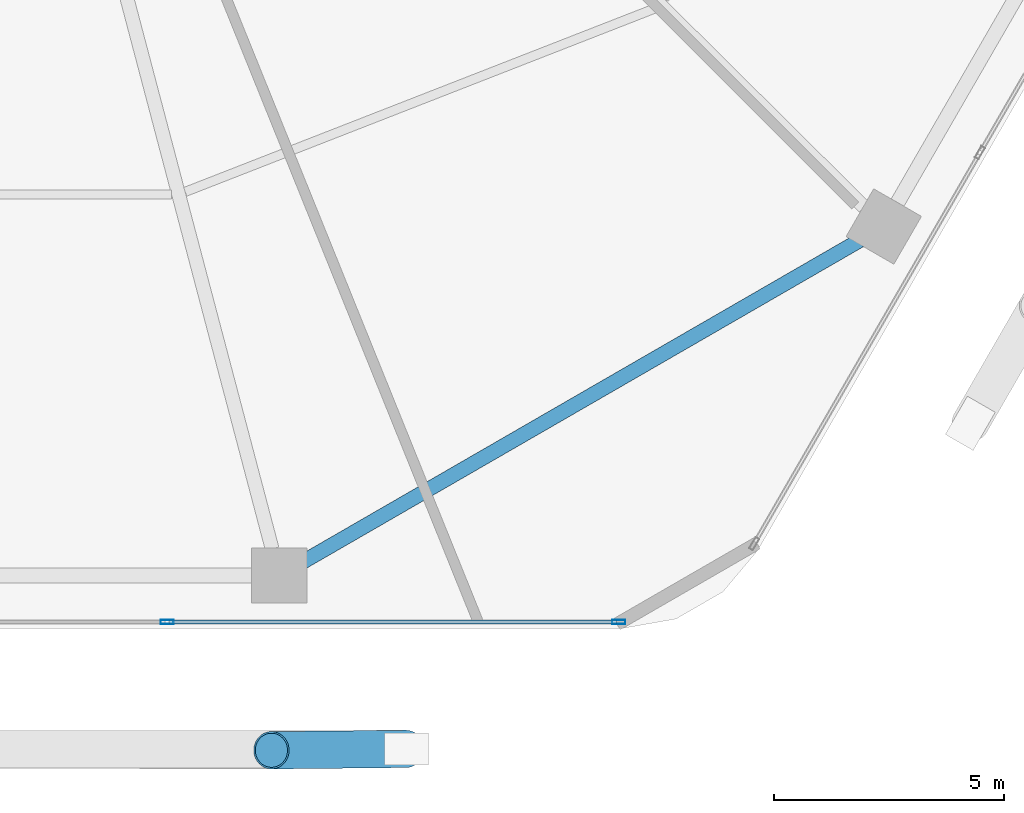
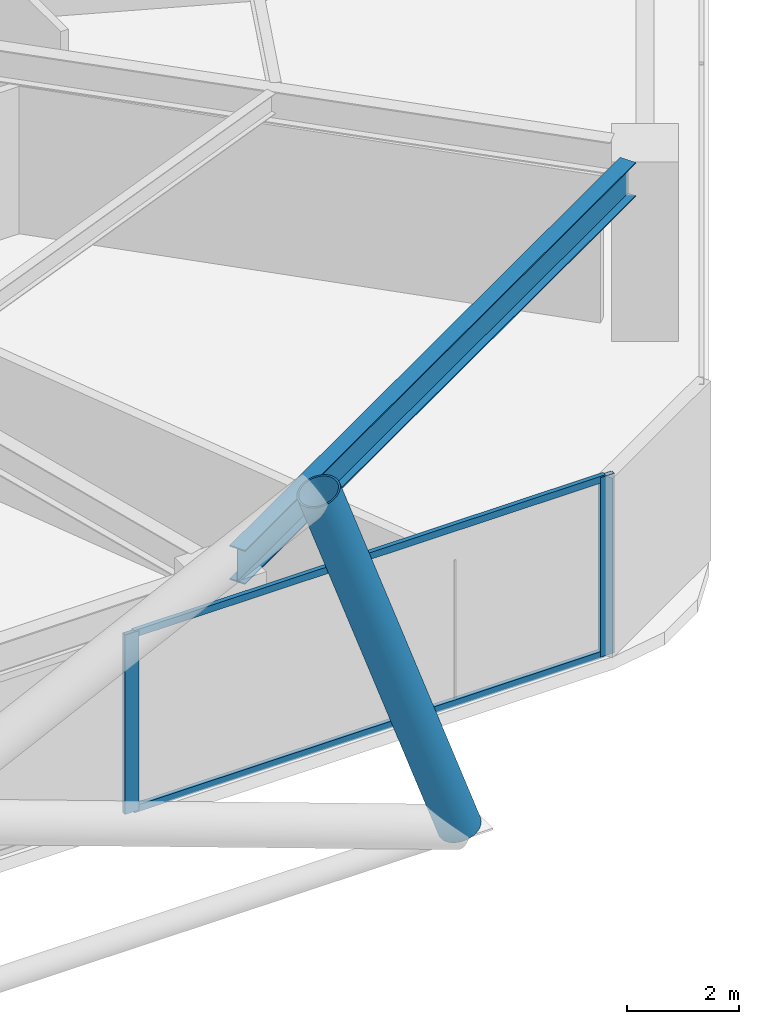
# One storey, part 7 of 28: 5 members, 1 beam, 1 element without a shape of its own.
"""IFC4 building model written with IfcOpenShell, lengths in metres."""

import ifcopenshell
import ifcopenshell.guid

model = None  # the IFC model being written
_history = None  # IfcOwnerHistory: only IFC2X3 demands one
_inside = {}  # id of a spatial element -> (the spatial element, [elements in it])
_under = {}  # id of a project, library or spatial element -> (it, [spatial elements below it])
_declared = {}  # id of a project -> (the project, [libraries it declares])
_typed = {}  # id of a type object -> (the type object, [elements of that type])
_made_of = {}  # id of a material, layer set ... -> (it, [elements and type objects made of it])


def new_model(schema):
    """Start an empty IFC model of exactly this schema.

    Asked for "IFC4X3", IfcOpenShell would pick the latest addendum, in which some entities
    have other attributes; the version numbers below select the first issue.
    IFC2X3 requires an IfcOwnerHistory on every rooted entity: one is made here for all.
    """
    global model, _history
    if schema == "IFC4X3":
        model = ifcopenshell.file(schema_version=(4, 3, 0, 0))
    else:
        model = ifcopenshell.file(schema=schema)
    _inside.clear()
    _under.clear()
    _declared.clear()
    _typed.clear()
    _made_of.clear()
    _history = None
    if model.schema == "IFC2X3":
        org = make("IfcOrganization", Name="unknown")
        user = make(
            "IfcPersonAndOrganization",
            ThePerson=make("IfcPerson", FamilyName="unknown"),
            TheOrganization=org,
        )
        app = make(
            "IfcApplication",
            ApplicationDeveloper=org,
            Version="unknown",
            ApplicationFullName="unknown",
            ApplicationIdentifier="unknown",
        )
        _history = make(
            "IfcOwnerHistory",
            OwningUser=user,
            OwningApplication=app,
            ChangeAction="ADDED",
            CreationDate=0,
        )
    return model


def make(cls, **values):
    """One entity of the class cls with the attributes given. An attribute that is None is left unset."""
    return model.create_entity(
        cls, **{name: value for name, value in values.items() if value is not None}
    )


def rooted(cls, **values):
    """An entity with a GlobalId (a new one), such as an element, a storey or a relation."""
    return make(cls, GlobalId=ifcopenshell.guid.new(), OwnerHistory=_history, **values)


def si_unit(unit_type, name, prefix=None):
    """IfcSIUnit, for example si_unit("LENGTHUNIT", "METRE", prefix="MILLI")."""
    return make("IfcSIUnit", UnitType=unit_type, Prefix=prefix, Name=name)


def assignment(units):
    """IfcUnitAssignment: the units of a project."""
    return None if units is None else make("IfcUnitAssignment", Units=units)


def point(xyz):
    """IfcCartesianPoint."""
    return None if xyz is None else make("IfcCartesianPoint", Coordinates=xyz)


def direction(xyz):
    """IfcDirection."""
    return None if xyz is None else make("IfcDirection", DirectionRatios=xyz)


def frame(location, z_axis=None, x_axis=None):
    """IfcAxis2Placement3D, a coordinate frame: its origin and axes. An axis left out is left unset."""
    return make(
        "IfcAxis2Placement3D",
        Location=point(location),
        Axis=direction(z_axis),
        RefDirection=direction(x_axis),
    )


def frame_2d(location, x_axis=None):
    """IfcAxis2Placement2D, a coordinate frame in the plane: its origin and x axis."""
    return make(
        "IfcAxis2Placement2D", Location=point(location), RefDirection=direction(x_axis)
    )


def origin():
    """The frame at (0, 0, 0) with its axes left unset."""
    return frame((0.0, 0.0, 0.0))


def origin_2d():
    """The frame at (0, 0) in the plane with its x axis left unset."""
    return frame_2d((0.0, 0.0))


def place(relative_to, where):
    """IfcLocalPlacement: puts the frame where relative to a parent placement (None: the world)."""
    return make(
        "IfcLocalPlacement", PlacementRelTo=relative_to, RelativePlacement=where
    )


def context(
    kind, dimensions, precision=None, world=None, true_north=None, identifier=None
):
    """IfcGeometricRepresentationContext, for example the 3D "Model" context."""
    return make(
        "IfcGeometricRepresentationContext",
        ContextIdentifier=identifier,
        ContextType=kind,
        CoordinateSpaceDimension=dimensions,
        Precision=precision,
        WorldCoordinateSystem=world,
        TrueNorth=true_north,
    )


def subcontext(parent, identifier, kind, view, scale=None):
    """IfcGeometricRepresentationSubContext, for example "Body" below "Model"."""
    return make(
        "IfcGeometricRepresentationSubContext",
        ContextIdentifier=identifier,
        ContextType=kind,
        ParentContext=parent,
        TargetScale=scale,
        TargetView=view,
    )


def project(units=None, contexts=None):
    """IfcProject with its units and contexts."""
    return rooted(
        "IfcProject",
        Name="project",
        RepresentationContexts=contexts,
        UnitsInContext=assignment(units),
    )


def spatial(cls, under=None, at=None, **own):
    """A site, building, storey or space (cls), placed at a placement, below another one or the project."""
    s = rooted(cls, ObjectPlacement=at, **own)
    if under is not None:
        _under.setdefault(under.id(), (under, []))[1].append(s)
    return s


def profile(cls, at=None, kind="AREA", **sizes):
    """A parametric profile (cls). Its sizes go by their IFC names, for example OverallWidth=200.0."""
    return make(cls, ProfileType=kind, Position=at, **sizes)


def hollow_rectangle(**sizes):
    """IfcRectangleHollowProfileDef."""
    return profile("IfcRectangleHollowProfileDef", **sizes)


def hollow_circle(**sizes):
    """IfcCircleHollowProfileDef."""
    return profile("IfcCircleHollowProfileDef", **sizes)


def i_section(**sizes):
    """IfcIShapeProfileDef."""
    return profile("IfcIShapeProfileDef", **sizes)


def extrude(swept, where, along, depth):
    """IfcExtrudedAreaSolid: the profile swept, set in the frame where, extruded along a direction by depth."""
    return make(
        "IfcExtrudedAreaSolid",
        SweptArea=swept,
        Position=where,
        ExtrudedDirection=direction(along),
        Depth=depth,
    )


def shape(context_of_items, identifier, shape_type, items):
    """IfcShapeRepresentation: the items that make up one representation, for example the "Body"."""
    return make(
        "IfcShapeRepresentation",
        ContextOfItems=context_of_items,
        RepresentationIdentifier=identifier,
        RepresentationType=shape_type,
        Items=items,
    )


def material(Name=None, Category=None):
    """IfcMaterial."""
    return make("IfcMaterial", Name=Name, Category=Category)


def material_profile(
    of_material, cross_section, Name=None, Category=None, Priority=None
):
    """IfcMaterialProfile: a cross section and its material."""
    return make(
        "IfcMaterialProfile",
        Name=Name,
        Material=of_material,
        Profile=cross_section,
        Priority=Priority,
        Category=Category,
    )


def profile_set(profiles, Name=None, composite=None):
    """IfcMaterialProfileSet."""
    return make(
        "IfcMaterialProfileSet",
        Name=Name,
        MaterialProfiles=profiles,
        CompositeProfile=composite,
    )


def made_of(thing, what):
    """Note that an element or type object is made of a material, layer set ...; save() writes the relation."""
    if what is not None:
        _made_of.setdefault(what.id(), (what, []))[1].append(thing)
    return thing


def type_object(cls, material=None, **own):
    """A type object (cls), such as IfcWallType, which elements share."""
    return made_of(rooted(cls, **own), material)


def element(
    cls,
    number,
    at=None,
    inside=None,
    cuts=None,
    type_object=None,
    material=None,
    context=None,
    identifier="Body",
    shape_type=None,
    held_by="IfcProductDefinitionShape",
    body=None,
    shapes=None,
    **own,
):
    """One element of the class cls, such as IfcWall. Its Tag is "e" and its number.

    at: its placement. inside: the storey or other place that contains it. cuts: it is an
    opening in that element (IfcRelVoidsElement). A single representation is given by context,
    identifier, shape_type and body (its items); several are given by shapes. held_by: the class
    of the entity that holds the representations. save() writes the other relations.
    """
    e = rooted(cls, Tag="e%d" % number, ObjectPlacement=at, **own)
    if body is not None:
        shapes = [shape(context, identifier, shape_type, body)]
    if shapes is not None:
        e.Representation = make(held_by, Representations=shapes)
    if inside is not None:
        _inside.setdefault(inside.id(), (inside, []))[1].append(e)
    if cuts is not None:
        rooted(
            "IfcRelVoidsElement", RelatingBuildingElement=cuts, RelatedOpeningElement=e
        )
    if type_object is not None:
        _typed.setdefault(type_object.id(), (type_object, []))[1].append(e)
    return made_of(e, material)


def aggregate(whole, parts):
    """IfcRelAggregates: a whole, such as a stair, and the parts it consists of."""
    return rooted("IfcRelAggregates", RelatingObject=whole, RelatedObjects=parts)


def save(model, path):
    """Write the relations noted so far, then the file.

    IfcRelAggregates (storeys below a building ...), IfcRelContainedInSpatialStructure (elements
    in a storey), IfcRelDefinesByType, IfcRelAssociatesMaterial and IfcRelDeclares: one each for
    every whole, place, type object, material and project.
    """
    for whole, parts in _under.values():
        aggregate(whole, parts)
    for where, things in _inside.values():
        rooted(
            "IfcRelContainedInSpatialStructure",
            RelatedElements=things,
            RelatingStructure=where,
        )
    for kind, things in _typed.values():
        rooted("IfcRelDefinesByType", RelatedObjects=things, RelatingType=kind)
    for what, things in _made_of.values():
        rooted("IfcRelAssociatesMaterial", RelatedObjects=things, RelatingMaterial=what)
    for by, libraries in _declared.values():
        rooted("IfcRelDeclares", RelatingContext=by, RelatedDefinitions=libraries)
    model.write(path)


model = new_model("IFC4")

# Units and contexts
model_context = context("Model", 3, precision=1e-05, world=origin(), true_north=direction((0.0, 1.0)))
body_context = subcontext(model_context, "Body", "Model", "MODEL_VIEW")
ifc_project = project(units=[si_unit("LENGTHUNIT", "METRE"), si_unit("AREAUNIT", "SQUARE_METRE"), si_unit("VOLUMEUNIT", "CUBIC_METRE"), si_unit("PLANEANGLEUNIT", "RADIAN"), si_unit("MASSUNIT", "GRAM", prefix="KILO")], contexts=[model_context])

# Site, building, storey
site_placement = place(None, origin())
site = spatial("IfcSite", under=ifc_project, at=site_placement, CompositionType="ELEMENT")
building_placement = place(site_placement, origin())
building = spatial("IfcBuilding", under=site, at=building_placement, Name="Zuhravey Tower", CompositionType="ELEMENT")
storey_placement = place(building_placement, frame((0.0, 0.0, 75.0)))
storey = spatial("IfcBuildingStorey", under=building, at=storey_placement, Name="L18", CompositionType="ELEMENT", Elevation=75.0)

# Curtain wall, members
ifc_material_1 = material(Name="Thermally broken anodised aluminium", Category="aluminium")
curtain_wall_type = type_object("IfcCurtainWallType", Name="School Low-E Unitised Curtain Wall CW1", PredefinedType="NOTDEFINED", material=ifc_material_1)
curtain_wall_placement = place(storey_placement, origin())
curtain_wall = element("IfcCurtainWall", 1, at=curtain_wall_placement, inside=storey, type_object=curtain_wall_type, Name="L18 CW1 CW-L18-F5-1", PredefinedType="NOTDEFINED")
ifc_material_2 = material(Name="Anodised aluminium", Category="aluminium")
ifc_material_profile_1 = material_profile(ifc_material_2, hollow_rectangle(XDim=0.090087890625, YDim=0.284912109375, WallThickness=0.0048828125, at=origin_2d()), Name="ALU-RHS-90x285x5")
ifc_profile_set_1 = profile_set([ifc_material_profile_1], Name="Anodised aluminium")
member_type_1 = type_object("IfcMemberType", Name="Curtain-Wall Mullion 90x180", PredefinedType="MULLION", material=ifc_profile_set_1)
member_1_placement = place(storey_placement, frame((50.75439453125, 3.04150390625, 0.0), z_axis=(0.0, 0.0, 1.0), x_axis=(0.0, -1.0, 0.0)))
member_1 = element("IfcMember", 2, at=member_1_placement, type_object=member_type_1, Name="CW1 mullion 1", PredefinedType="MULLION", context=body_context, shape_type="SweptSolid", body=[
    extrude(hollow_rectangle(XDim=0.090087890625, YDim=0.284912109375, WallThickness=0.0048828125, at=origin_2d()), origin(), (0.0, 0.0, 1.0), 3.919921875),
])
member_2_placement = place(storey_placement, frame((40.93310546875, 3.04150390625, 0.0), z_axis=(0.0, 0.0, 1.0), x_axis=(0.0, -1.0, 0.0)))
member_2 = element("IfcMember", 3, at=member_2_placement, type_object=member_type_1, Name="CW1 mullion 2", PredefinedType="MULLION", context=body_context, shape_type="SweptSolid", body=[
    extrude(hollow_rectangle(XDim=0.090087890625, YDim=0.284912109375, WallThickness=0.0048828125, at=origin_2d()), origin(), (0.0, 0.0, 1.0), 3.919921875),
])
ifc_material_profile_2 = material_profile(ifc_material_2, hollow_rectangle(XDim=0.090087890625, YDim=0.14990234375, WallThickness=0.0048828125, at=origin_2d()), Name="ALU-RHS-90x150x5")
ifc_profile_set_2 = profile_set([ifc_material_profile_2], Name="Anodised aluminium")
member_type_2 = type_object("IfcMemberType", Name="Curtain-Wall Transom 90x150", PredefinedType="USERDEFINED", material=ifc_profile_set_2)
member_3_placement = place(storey_placement, frame((50.70947265625, 3.04150390625, 0.044921875), z_axis=(-1.0, 0.0, 0.0), x_axis=(0.0, -1.0, 0.0)))
member_3 = element("IfcMember", 4, at=member_3_placement, type_object=member_type_2, Name="CW1 transom 1.1", ObjectType="TRANSOM", PredefinedType="USERDEFINED", context=body_context, shape_type="SweptSolid", body=[
    extrude(hollow_rectangle(XDim=0.090087890625, YDim=0.14990234375, WallThickness=0.0048828125, at=origin_2d()), origin(), (0.0, 0.0, 1.0), 9.731201171875),
])
member_4_placement = place(storey_placement, frame((50.70947265625, 3.04150390625, 3.875), z_axis=(-1.0, 0.0, 0.0), x_axis=(0.0, -1.0, 0.0)))
member_4 = element("IfcMember", 5, at=member_4_placement, type_object=member_type_2, Name="CW1 transom 1.2", ObjectType="TRANSOM", PredefinedType="USERDEFINED", context=body_context, shape_type="SweptSolid", body=[
    extrude(hollow_rectangle(XDim=0.090087890625, YDim=0.14990234375, WallThickness=0.0048828125, at=origin_2d()), origin(), (0.0, 0.0, 1.0), 9.731201171875),
])
aggregate(curtain_wall, [member_1, member_2, member_3, member_4])

# Member
ifc_material_3 = material(Name="Steel SM460", Category="steel")
ifc_material_profile_3 = material_profile(ifc_material_3, hollow_circle(Radius=0.406494140625, WallThickness=0.035888671875, at=origin_2d()), Name="CHS-812.8x36")
ifc_profile_set_3 = profile_set([ifc_material_profile_3], Name="Steel SM460")
member_type_3 = type_object("IfcMemberType", Name="Exoskeleton Zone 1 Diagrid CHS813x36", PredefinedType="BRACE", material=ifc_profile_set_3)
member_5_placement = place(storey_placement, frame((46.129150390625, 0.281494140625, -0.471923828125), z_axis=(-0.330640830992, -0.003391612227, 0.94375056972), x_axis=(0.010257153654, -0.999947394016, 0.0)))
element("IfcMember", 6, at=member_5_placement, inside=storey, type_object=member_type_3, Name="L18 Face 5 Diagrid Brace 4", PredefinedType="BRACE", context=body_context, shape_type="SweptSolid", body=[
    extrude(hollow_circle(Radius=0.406494140625, WallThickness=0.035888671875, at=origin_2d()), origin(), (0.0, 0.0, 1.0), 8.85400390625),
])

# Beam
ifc_material_4 = material(Name="Steel SM355", Category="steel")
ifc_material_profile_4 = material_profile(ifc_material_4, i_section(OverallWidth=0.320068359375, OverallDepth=0.75, WebThickness=0.013916015625, FlangeThickness=0.02490234375, at=origin_2d()), Name="H-750x320x14x25")
ifc_profile_set_4 = profile_set([ifc_material_profile_4], Name="Steel SM355")
beam_type = type_object("IfcBeamType", Name="Perimeter Ring Beam H750x320", PredefinedType="BEAM", material=ifc_profile_set_4)
beam_placement = place(storey_placement, frame((43.89208984375, 4.35302734375, 3.544921875), z_axis=(0.866029969761, 0.499992091414, 0.0), x_axis=(-0.499992091414, 0.866029969761, 0.0)))
element("IfcBeam", 7, at=beam_placement, inside=storey, type_object=beam_type, Name="L18 PB1 BM-L18-PB-10", PredefinedType="BEAM", context=body_context, shape_type="SweptSolid", body=[
    extrude(i_section(OverallWidth=0.320068359375, OverallDepth=0.75, WebThickness=0.013916015625, FlangeThickness=0.02490234375, at=origin_2d()), origin(), (0.0, 0.0, 1.0), 13.977294921875),
])

save(model, "model.ifc")
